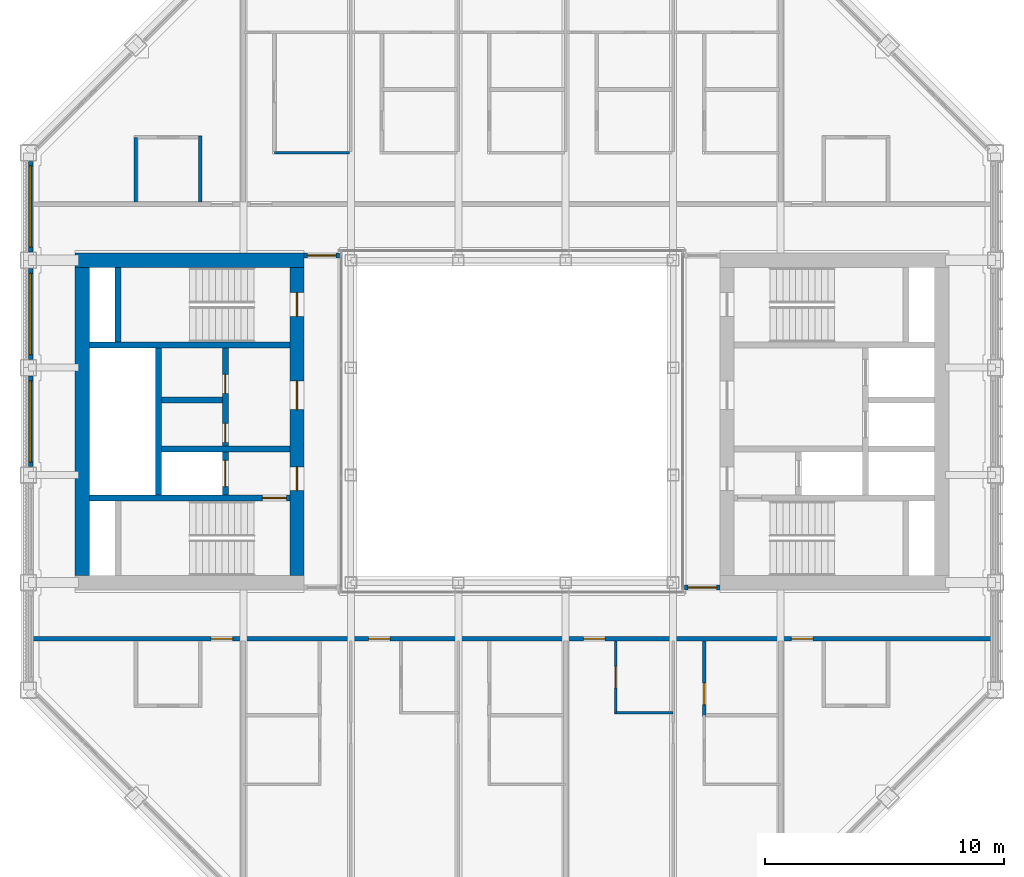
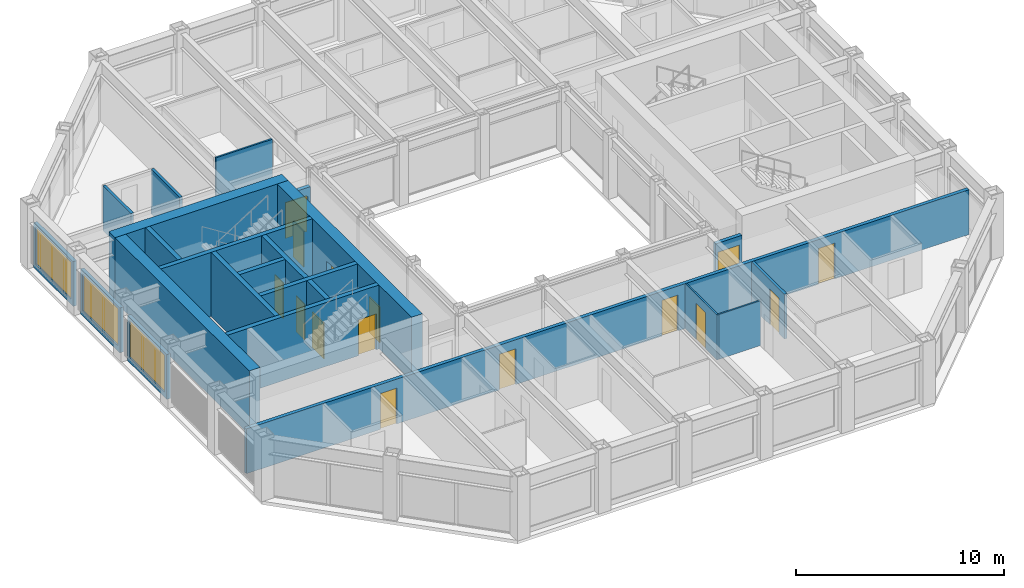
# One storey, part 10 of 18: 22 walls, 15 doors, 3 windows, 18 openings.
"""IFC4 building model written with IfcOpenShell, lengths in metres."""

from ifc_helpers import new_model, si_unit, direction, frame, frame_2d, origin, place, context, subcontext, project, spatial, rectangle, extrude, material, layer, layer_set, type_object, element, fill, save


model = new_model("IFC4")

# Units and contexts
model_context = context("Model", 3, precision=1e-05, world=origin(), true_north=direction((0.0, 1.0)))
body_context = subcontext(model_context, "Body", "Model", "MODEL_VIEW")
ifc_project = project(units=[si_unit("LENGTHUNIT", "METRE"), si_unit("AREAUNIT", "SQUARE_METRE"), si_unit("VOLUMEUNIT", "CUBIC_METRE"), si_unit("PLANEANGLEUNIT", "RADIAN"), si_unit("MASSUNIT", "GRAM", prefix="KILO")], contexts=[model_context])

# Site, building, storey
site_placement = place(None, origin())
site = spatial("IfcSite", under=ifc_project, at=site_placement, CompositionType="ELEMENT")
building_placement = place(site_placement, origin())
building = spatial("IfcBuilding", under=site, at=building_placement, Name="Msasa Ring Tower", CompositionType="ELEMENT")
storey_placement = place(building_placement, frame((0.0, 0.0, 249.550048828125)))
storey = spatial("IfcBuildingStorey", under=building, at=storey_placement, Name="L65", CompositionType="ELEMENT", Elevation=249.550048828125)

# Wall
ifc_material_1 = material(Name="Concrete C60/75", Category="concrete")
ifc_layer_1 = layer(ifc_material_1, 0.60009765625)
ifc_layer_set_1 = layer_set([ifc_layer_1], Name="CW3 CORE WALL 600")
wall_type_1 = type_object("IfcWallType", Name="CW3 CORE WALL 600", PredefinedType="SHEAR", material=ifc_layer_set_1)
wall_1_placement = place(storey_placement, frame((-8.699951171875, 6.75, 0.0), z_axis=(0.0, 0.0, 1.0), x_axis=(-1.0, 0.0, 0.0)))
element("IfcWall", 1, at=wall_1_placement, inside=storey, type_object=wall_type_1, Name="W core wall N L65", PredefinedType="SHEAR", context=body_context, shape_type="SweptSolid", body=[
    extrude(rectangle(XDim=9.60009765625, YDim=0.60009765625, at=frame_2d((4.800048828125, 0.0))), origin(), (0.0, 0.0, 1.0), 3.75),
])

# Wall, openings, doors
wall_2_placement = place(storey_placement, frame((-9.0, -6.449951171875, 0.0), z_axis=(0.0, 0.0, 1.0), x_axis=(0.0, 1.0, 0.0)))
wall_2 = element("IfcWall", 2, at=wall_2_placement, inside=storey, type_object=wall_type_1, Name="W core wall W L65", PredefinedType="SHEAR", context=body_context, shape_type="SweptSolid", body=[
    extrude(rectangle(XDim=12.89990234375, YDim=0.60009765625, at=frame_2d((6.449951171875, 0.0))), origin(), (0.0, 0.0, 1.0), 3.75),
])
opening_1_placement = place(wall_2_placement, frame((3.550048828125, 0.0, 0.0)))
opening_1 = element("IfcOpeningElement", 3, at=opening_1_placement, cuts=wall_2, Name="Opening SE-028", PredefinedType="OPENING", context=body_context, shape_type="SweptSolid", body=[
    extrude(rectangle(XDim=1.0, YDim=2.10009765625, at=frame_2d((0.5, 1.050048828125))), frame((0.0, 0.31005859375, 0.0), z_axis=(0.0, -1.0, 0.0), x_axis=(1.0, 0.0, 0.0)), (0.0, 0.0, 1.0), 0.6201171875),
])
opening_2_placement = place(wall_2_placement, frame((6.949951171875, 0.0, 0.0)))
opening_2 = element("IfcOpeningElement", 4, at=opening_2_placement, cuts=wall_2, Name="Opening SE-025", PredefinedType="OPENING", context=body_context, shape_type="SweptSolid", body=[
    extrude(rectangle(XDim=1.199951171875, YDim=2.10009765625, at=frame_2d((0.60009765625, 1.050048828125))), frame((0.0, 0.31005859375, 0.0), z_axis=(0.0, -1.0, 0.0), x_axis=(1.0, 0.0, 0.0)), (0.0, 0.0, 1.0), 0.6201171875),
])
opening_3_placement = place(wall_2_placement, frame((10.85009765625, 0.0, 0.0)))
opening_3 = element("IfcOpeningElement", 5, at=opening_3_placement, cuts=wall_2, Name="Opening SE-022", PredefinedType="OPENING", context=body_context, shape_type="SweptSolid", body=[
    extrude(rectangle(XDim=1.0, YDim=2.10009765625, at=frame_2d((0.5, 1.050048828125))), frame((0.0, 0.31005859375, 0.0), z_axis=(0.0, -1.0, 0.0), x_axis=(1.0, 0.0, 0.0)), (0.0, 0.0, 1.0), 0.6201171875),
])
ifc_material_2 = material(Name="Timber door leaf in a steel frame", Category="steel")
door_type_1 = type_object("IfcDoorType", Name="D4 LOBBY DOOR 1000x2100", OperationType="SINGLE_SWING_LEFT", PredefinedType="DOOR", material=ifc_material_2)
door_1_placement = place(opening_1_placement, origin())
door_1 = element("IfcDoor", 6, at=door_1_placement, inside=storey, type_object=door_type_1, Name="Door L65-WFFL", OperationType="SINGLE_SWING_LEFT", OverallHeight=2.10009765625, OverallWidth=1.0, PredefinedType="DOOR", context=body_context, shape_type="SweptSolid", body=[
    extrude(rectangle(XDim=1.0, YDim=2.10009765625, at=frame_2d((0.5, 1.050048828125))), frame((0.0, 0.02490234375, 0.0), z_axis=(0.0, -1.0, 0.0), x_axis=(1.0, 0.0, 0.0)), (0.0, 0.0, 1.0), 0.050048828125),
])
fill(opening_1, door_1)
ifc_material_3 = material(Name="Timber door leaf in a steel frame", Category="steel")
door_type_2 = type_object("IfcDoorType", Name="D5 WIDE LOBBY DOOR 1200x2100", OperationType="SINGLE_SWING_LEFT", PredefinedType="DOOR", material=ifc_material_3)
door_2_placement = place(opening_2_placement, origin())
door_2 = element("IfcDoor", 7, at=door_2_placement, inside=storey, type_object=door_type_2, Name="Door L65-WLL", OperationType="SINGLE_SWING_RIGHT", OverallHeight=2.10009765625, OverallWidth=1.199951171875, PredefinedType="DOOR", context=body_context, shape_type="SweptSolid", body=[
    extrude(rectangle(XDim=1.199951171875, YDim=2.10009765625, at=frame_2d((0.60009765625, 1.050048828125))), frame((0.0, 0.02490234375, 0.0), z_axis=(0.0, -1.0, 0.0), x_axis=(1.0, 0.0, 0.0)), (0.0, 0.0, 1.0), 0.050048828125),
])
fill(opening_2, door_2)
ifc_material_4 = material(Name="Timber door leaf in a steel frame", Category="steel")
door_type_3 = type_object("IfcDoorType", Name="D6 STAIR DOOR 1000x2100", OperationType="SINGLE_SWING_LEFT", PredefinedType="DOOR", material=ifc_material_4)
door_3_placement = place(opening_3_placement, origin())
door_3 = element("IfcDoor", 8, at=door_3_placement, inside=storey, type_object=door_type_3, Name="Door L65-WSTB", OperationType="SINGLE_SWING_RIGHT", OverallHeight=2.10009765625, OverallWidth=1.0, PredefinedType="DOOR", context=body_context, shape_type="SweptSolid", body=[
    extrude(rectangle(XDim=1.0, YDim=2.10009765625, at=frame_2d((0.5, 1.050048828125))), frame((0.0, 0.02490234375, 0.0), z_axis=(0.0, -1.0, 0.0), x_axis=(1.0, 0.0, 0.0)), (0.0, 0.0, 1.0), 0.050048828125),
])
fill(opening_3, door_3)

# Wall
wall_3_placement = place(storey_placement, frame((-18.0, -6.449951171875, 0.0), z_axis=(0.0, 0.0, 1.0), x_axis=(0.0, 1.0, 0.0)))
element("IfcWall", 9, at=wall_3_placement, inside=storey, type_object=wall_type_1, Name="W core wall E L65", PredefinedType="SHEAR", context=body_context, shape_type="SweptSolid", body=[
    extrude(rectangle(XDim=12.89990234375, YDim=0.60009765625, at=frame_2d((6.449951171875, 0.0))), origin(), (0.0, 0.0, 1.0), 3.75),
])

# Wall, opening, door
ifc_material_5 = material(Name="Concrete C60/75", Category="concrete")
ifc_layer_2 = layer(ifc_material_5, 0.25)
ifc_layer_set_2 = layer_set([ifc_layer_2], Name="CW4 CORE INNER WALL 250")
wall_type_2 = type_object("IfcWallType", Name="CW4 CORE INNER WALL 250", PredefinedType="SHEAR", material=ifc_layer_set_2)
wall_4_placement = place(storey_placement, frame((-9.300048828125, -3.199951171875, 0.0), z_axis=(0.0, 0.0, 1.0), x_axis=(-1.0, 0.0, 0.0)))
wall_4 = element("IfcWall", 10, at=wall_4_placement, inside=storey, type_object=wall_type_2, Name="W core wall STAIRA L65", PredefinedType="SHEAR", context=body_context, shape_type="SweptSolid", body=[
    extrude(rectangle(XDim=8.39990234375, YDim=0.25, at=frame_2d((4.199951171875, 0.0))), origin(), (0.0, 0.0, 1.0), 3.75),
])
opening_4_placement = place(wall_4_placement, frame((0.14990234375, 0.0, 0.0)))
opening_4 = element("IfcOpeningElement", 11, at=opening_4_placement, cuts=wall_4, Name="Opening SE-030", PredefinedType="OPENING", context=body_context, shape_type="SweptSolid", body=[
    extrude(rectangle(XDim=1.0, YDim=2.10009765625, at=frame_2d((0.5, 1.050048828125))), frame((0.0, 0.135009765625, 0.0), z_axis=(0.0, -1.0, 0.0), x_axis=(1.0, 0.0, 0.0)), (0.0, 0.0, 1.0), 0.27001953125),
])
door_4_placement = place(opening_4_placement, origin())
door_4 = element("IfcDoor", 12, at=door_4_placement, inside=storey, type_object=door_type_3, Name="Door L65-WSTA", OperationType="SINGLE_SWING_LEFT", OverallHeight=2.10009765625, OverallWidth=1.0, PredefinedType="DOOR", context=body_context, shape_type="SweptSolid", body=[
    extrude(rectangle(XDim=1.0, YDim=2.10009765625, at=frame_2d((0.5, 1.050048828125))), frame((0.0, 0.02490234375, 0.0), z_axis=(0.0, -1.0, 0.0), x_axis=(1.0, 0.0, 0.0)), (0.0, 0.0, 1.0), 0.050048828125),
])
fill(opening_4, door_4)

# Walls
wall_5_placement = place(storey_placement, frame((-9.300048828125, 3.199951171875, 0.0), z_axis=(0.0, 0.0, 1.0), x_axis=(-1.0, 0.0, 0.0)))
element("IfcWall", 13, at=wall_5_placement, inside=storey, type_object=wall_type_2, Name="W core wall STAIRB L65", PredefinedType="SHEAR", context=body_context, shape_type="SweptSolid", body=[
    extrude(rectangle(XDim=8.39990234375, YDim=0.25, at=frame_2d((4.199951171875, 0.0))), origin(), (0.0, 0.0, 1.0), 3.75),
])
wall_6_placement = place(storey_placement, frame((-16.5, 3.324951171875, 0.0), z_axis=(0.0, 0.0, 1.0), x_axis=(0.0, 1.0, 0.0)))
element("IfcWall", 14, at=wall_6_placement, inside=storey, type_object=wall_type_2, Name="W core wall RISERB L65", PredefinedType="SHEAR", context=body_context, shape_type="SweptSolid", body=[
    extrude(rectangle(XDim=3.125, YDim=0.25, at=frame_2d((1.5625, 0.0))), origin(), (0.0, 0.0, 1.0), 3.75),
])
wall_7_placement = place(storey_placement, frame((-9.300048828125, -1.14990234375, 0.0), z_axis=(0.0, 0.0, 1.0), x_axis=(-1.0, 0.0, 0.0)))
element("IfcWall", 15, at=wall_7_placement, inside=storey, type_object=wall_type_2, Name="W core wall FFL L65", PredefinedType="SHEAR", context=body_context, shape_type="SweptSolid", body=[
    extrude(rectangle(XDim=5.375, YDim=0.25, at=frame_2d((2.6875, 0.0))), origin(), (0.0, 0.0, 1.0), 3.75),
])

# Wall, openings, doors
wall_8_placement = place(storey_placement, frame((-12.0, -3.074951171875, 0.0), z_axis=(0.0, 0.0, 1.0), x_axis=(0.0, 1.0, 0.0)))
wall_8 = element("IfcWall", 16, at=wall_8_placement, inside=storey, type_object=wall_type_2, Name="W core wall LOBBY L65", PredefinedType="SHEAR", context=body_context, shape_type="SweptSolid", body=[
    extrude(rectangle(XDim=6.14990234375, YDim=0.25, at=frame_2d((3.074951171875, 0.0))), origin(), (0.0, 0.0, 1.0), 3.75),
])
opening_5_placement = place(wall_8_placement, frame((2.199951171875, 0.0, 0.0)))
opening_5 = element("IfcOpeningElement", 17, at=opening_5_placement, cuts=wall_8, Name="Opening SE-027", PredefinedType="OPENING", context=body_context, shape_type="SweptSolid", body=[
    extrude(rectangle(XDim=0.800048828125, YDim=2.10009765625, at=frame_2d((0.39990234375, 1.050048828125))), frame((0.0, 0.135009765625, 0.0), z_axis=(0.0, -1.0, 0.0), x_axis=(1.0, 0.0, 0.0)), (0.0, 0.0, 1.0), 0.27001953125),
])
opening_6_placement = place(wall_8_placement, frame((4.25, 0.0, 0.0)))
opening_6 = element("IfcOpeningElement", 18, at=opening_6_placement, cuts=wall_8, Name="Opening SE-024", PredefinedType="OPENING", context=body_context, shape_type="SweptSolid", body=[
    extrude(rectangle(XDim=0.800048828125, YDim=2.10009765625, at=frame_2d((0.39990234375, 1.050048828125))), frame((0.0, 0.135009765625, 0.0), z_axis=(0.0, -1.0, 0.0), x_axis=(1.0, 0.0, 0.0)), (0.0, 0.0, 1.0), 0.27001953125),
])
opening_7_placement = place(wall_8_placement, frame((0.35009765625, 0.0, 0.0)))
opening_7 = element("IfcOpeningElement", 19, at=opening_7_placement, cuts=wall_8, Name="Opening LD1", PredefinedType="OPENING", context=body_context, shape_type="SweptSolid", body=[
    extrude(rectangle(XDim=1.10009765625, YDim=2.10009765625, at=frame_2d((0.550048828125, 1.050048828125))), frame((0.0, 0.135009765625, 0.0), z_axis=(0.0, -1.0, 0.0), x_axis=(1.0, 0.0, 0.0)), (0.0, 0.0, 1.0), 0.27001953125),
])
ifc_material_6 = material(Name="Timber door leaf in a steel frame", Category="steel")
door_type_4 = type_object("IfcDoorType", Name="D9 NARROW SERVICE DOOR 800x2100", OperationType="SINGLE_SWING_LEFT", PredefinedType="DOOR", material=ifc_material_6)
door_5_placement = place(opening_5_placement, origin())
door_5 = element("IfcDoor", 20, at=door_5_placement, inside=storey, type_object=door_type_4, Name="Door L65-WR1", OperationType="SINGLE_SWING_LEFT", OverallHeight=2.10009765625, OverallWidth=0.800048828125, PredefinedType="DOOR", context=body_context, shape_type="SweptSolid", body=[
    extrude(rectangle(XDim=0.800048828125, YDim=2.10009765625, at=frame_2d((0.39990234375, 1.050048828125))), frame((0.0, 0.02490234375, 0.0), z_axis=(0.0, -1.0, 0.0), x_axis=(1.0, 0.0, 0.0)), (0.0, 0.0, 1.0), 0.050048828125),
])
fill(opening_5, door_5)
door_6_placement = place(opening_6_placement, origin())
door_6 = element("IfcDoor", 21, at=door_6_placement, inside=storey, type_object=door_type_4, Name="Door L65-WR2", OperationType="SINGLE_SWING_RIGHT", OverallHeight=2.10009765625, OverallWidth=0.800048828125, PredefinedType="DOOR", context=body_context, shape_type="SweptSolid", body=[
    extrude(rectangle(XDim=0.800048828125, YDim=2.10009765625, at=frame_2d((0.39990234375, 1.050048828125))), frame((0.0, 0.02490234375, 0.0), z_axis=(0.0, -1.0, 0.0), x_axis=(1.0, 0.0, 0.0)), (0.0, 0.0, 1.0), 0.050048828125),
])
fill(opening_6, door_6)
ifc_material_7 = material(Name="Stainless steel lift landing door", Category="steel")
door_type_5 = type_object("IfcDoorType", Name="LD1 LIFT LANDING DOOR 1100x2100", OperationType="DOUBLE_DOOR_SLIDING", PredefinedType="DOOR", material=ifc_material_7)
door_7_placement = place(opening_7_placement, origin())
door_7 = element("IfcDoor", 22, at=door_7_placement, inside=storey, type_object=door_type_5, Name="Lift landing door FL-W L65", OperationType="DOUBLE_DOOR_SLIDING", OverallHeight=2.10009765625, OverallWidth=1.10009765625, PredefinedType="DOOR", context=body_context, shape_type="SweptSolid", body=[
    extrude(rectangle(XDim=1.10009765625, YDim=2.10009765625, at=frame_2d((0.550048828125, 1.050048828125))), frame((0.0, 0.02490234375, 0.0), z_axis=(0.0, -1.0, 0.0), x_axis=(1.0, 0.0, 0.0)), (0.0, 0.0, 1.0), 0.050048828125),
])
fill(opening_7, door_7)

# Walls
wall_9_placement = place(storey_placement, frame((-14.800048828125, -3.074951171875, 0.0), z_axis=(0.0, 0.0, 1.0), x_axis=(0.0, 1.0, 0.0)))
element("IfcWall", 23, at=wall_9_placement, inside=storey, type_object=wall_type_2, Name="W core wall SHAFT L65", PredefinedType="SHEAR", context=body_context, shape_type="SweptSolid", body=[
    extrude(rectangle(XDim=6.14990234375, YDim=0.25, at=frame_2d((3.074951171875, 0.0))), origin(), (0.0, 0.0, 1.0), 3.75),
])
wall_10_placement = place(storey_placement, frame((-12.125, 0.89990234375, 0.0), z_axis=(0.0, 0.0, 1.0), x_axis=(-1.0, 0.0, 0.0)))
element("IfcWall", 24, at=wall_10_placement, inside=storey, type_object=wall_type_2, Name="W core wall LIFT1 L65", PredefinedType="SHEAR", context=body_context, shape_type="SweptSolid", body=[
    extrude(rectangle(XDim=2.550048828125, YDim=0.25, at=frame_2d((1.27490234375, 0.0))), origin(), (0.0, 0.0, 1.0), 3.75),
])

# Wall, opening, window
ifc_material_8 = material(Name="Terracotta rainscreen on blockwork", Category="masonry")
ifc_layer_3 = layer(ifc_material_8, 0.199951171875)
ifc_layer_set_3 = layer_set([ifc_layer_3], Name="FW1 TERRACOTTA-LINED INFILL BAY WALL 200")
wall_type_3 = type_object("IfcWallType", Name="FW1 TERRACOTTA-LINED INFILL BAY WALL 200", PredefinedType="SOLIDWALL", material=ifc_layer_set_3)
wall_11_placement = place(storey_placement, frame((-20.14990234375, -1.89501953125, 0.0), z_axis=(0.0, 0.0, 1.0), x_axis=(0.0, 1.0, 0.0)))
wall_11 = element("IfcWall", 25, at=wall_11_placement, inside=storey, type_object=wall_type_3, Name="Infill bay wall W L65 23", PredefinedType="SOLIDWALL", context=body_context, shape_type="SweptSolid", body=[
    extrude(rectangle(XDim=3.7900390625, YDim=0.199951171875, at=frame_2d((1.89501953125, 0.0))), origin(), (0.0, 0.0, 1.0), 2.62890625),
])
opening_8_placement = place(wall_11_placement, frame((0.195068359375, 0.0, 0.300048828125)))
opening_8 = element("IfcOpeningElement", 26, at=opening_8_placement, cuts=wall_11, Name="Opening WN3", PredefinedType="OPENING", context=body_context, shape_type="SweptSolid", body=[
    extrude(rectangle(XDim=3.39990234375, YDim=2.178955078125, at=frame_2d((1.699951171875, 1.08935546875))), frame((0.0, 0.10986328125, 0.0), z_axis=(0.0, -1.0, 0.0), x_axis=(1.0, 0.0, 0.0)), (0.0, 0.0, 1.0), 0.219970703125),
])
ifc_material_9 = material(Name="Aluminium frame with clear glass", Category="aluminium")
window_type = type_object("IfcWindowType", Name="WN3 SUITE WINDOW 3400x2179", PartitioningType="SINGLE_PANEL", PredefinedType="WINDOW", material=ifc_material_9)
window_1_placement = place(opening_8_placement, origin())
window_1 = element("IfcWindow", 27, at=window_1_placement, inside=storey, type_object=window_type, Name="Window W L65 23", OverallHeight=2.178955078125, OverallWidth=3.39990234375, PartitioningType="SINGLE_PANEL", PredefinedType="WINDOW", context=body_context, shape_type="SweptSolid", body=[
    extrude(rectangle(XDim=3.39990234375, YDim=2.178955078125, at=frame_2d((1.699951171875, 1.08935546875))), frame((0.0, 0.030029296875, 0.0), z_axis=(0.0, -1.0, 0.0), x_axis=(1.0, 0.0, 0.0)), (0.0, 0.0, 1.0), 0.06005859375),
])
fill(opening_8, window_1)

wall_12_placement = place(storey_placement, frame((-20.14990234375, 2.60498046875, 0.0), z_axis=(0.0, 0.0, 1.0), x_axis=(0.0, 1.0, 0.0)))
wall_12 = element("IfcWall", 28, at=wall_12_placement, inside=storey, type_object=wall_type_3, Name="Infill bay wall W L65 24", PredefinedType="SOLIDWALL", context=body_context, shape_type="SweptSolid", body=[
    extrude(rectangle(XDim=3.7900390625, YDim=0.199951171875, at=frame_2d((1.89501953125, 0.0))), origin(), (0.0, 0.0, 1.0), 2.62890625),
])
opening_9_placement = place(wall_12_placement, frame((0.195068359375, 0.0, 0.300048828125)))
opening_9 = element("IfcOpeningElement", 29, at=opening_9_placement, cuts=wall_12, Name="Opening WN3", PredefinedType="OPENING", context=body_context, shape_type="SweptSolid", body=[
    extrude(rectangle(XDim=3.39990234375, YDim=2.178955078125, at=frame_2d((1.699951171875, 1.08935546875))), frame((0.0, 0.10986328125, 0.0), z_axis=(0.0, -1.0, 0.0), x_axis=(1.0, 0.0, 0.0)), (0.0, 0.0, 1.0), 0.219970703125),
])
window_2_placement = place(opening_9_placement, origin())
window_2 = element("IfcWindow", 30, at=window_2_placement, inside=storey, type_object=window_type, Name="Window W L65 24", OverallHeight=2.178955078125, OverallWidth=3.39990234375, PartitioningType="SINGLE_PANEL", PredefinedType="WINDOW", context=body_context, shape_type="SweptSolid", body=[
    extrude(rectangle(XDim=3.39990234375, YDim=2.178955078125, at=frame_2d((1.699951171875, 1.08935546875))), frame((0.0, 0.030029296875, 0.0), z_axis=(0.0, -1.0, 0.0), x_axis=(1.0, 0.0, 0.0)), (0.0, 0.0, 1.0), 0.06005859375),
])
fill(opening_9, window_2)

wall_13_placement = place(storey_placement, frame((-20.14990234375, 7.10498046875, 0.0), z_axis=(0.0, 0.0, 1.0), x_axis=(0.0, 1.0, 0.0)))
wall_13 = element("IfcWall", 31, at=wall_13_placement, inside=storey, type_object=wall_type_3, Name="Infill bay wall W L65 25", PredefinedType="SOLIDWALL", context=body_context, shape_type="SweptSolid", body=[
    extrude(rectangle(XDim=3.7900390625, YDim=0.199951171875, at=frame_2d((1.89501953125, 0.0))), origin(), (0.0, 0.0, 1.0), 2.62890625),
])
opening_10_placement = place(wall_13_placement, frame((0.195068359375, 0.0, 0.300048828125)))
opening_10 = element("IfcOpeningElement", 32, at=opening_10_placement, cuts=wall_13, Name="Opening WN3", PredefinedType="OPENING", context=body_context, shape_type="SweptSolid", body=[
    extrude(rectangle(XDim=3.39990234375, YDim=2.178955078125, at=frame_2d((1.699951171875, 1.08935546875))), frame((0.0, 0.10986328125, 0.0), z_axis=(0.0, -1.0, 0.0), x_axis=(1.0, 0.0, 0.0)), (0.0, 0.0, 1.0), 0.219970703125),
])
window_3_placement = place(opening_10_placement, origin())
window_3 = element("IfcWindow", 33, at=window_3_placement, inside=storey, type_object=window_type, Name="Window W L65 25", OverallHeight=2.178955078125, OverallWidth=3.39990234375, PartitioningType="SINGLE_PANEL", PredefinedType="WINDOW", context=body_context, shape_type="SweptSolid", body=[
    extrude(rectangle(XDim=3.39990234375, YDim=2.178955078125, at=frame_2d((1.699951171875, 1.08935546875))), frame((0.0, 0.030029296875, 0.0), z_axis=(0.0, -1.0, 0.0), x_axis=(1.0, 0.0, 0.0)), (0.0, 0.0, 1.0), 0.06005859375),
])
fill(opening_10, window_3)

# Wall, opening, door
ifc_material_10 = material(Name="Concrete blockwork", Category="masonry")
ifc_layer_4 = layer(ifc_material_10, 0.199951171875)
ifc_layer_set_4 = layer_set([ifc_layer_4], Name="PT1 CORRIDOR WALL 200")
wall_type_4 = type_object("IfcWallType", Name="PT1 CORRIDOR WALL 200", PredefinedType="PARTITIONING", material=ifc_layer_set_4)
wall_14_placement = place(storey_placement, frame((7.22998046875, -6.949951171875, 0.0), z_axis=(0.0, 0.0, 1.0), x_axis=(1.0, 0.0, 0.0)))
wall_14 = element("IfcWall", 34, at=wall_14_placement, inside=storey, type_object=wall_type_4, Name="Corridor wall L65-SDES", PredefinedType="PARTITIONING", context=body_context, shape_type="SweptSolid", body=[
    extrude(rectangle(XDim=1.469970703125, YDim=0.199951171875, at=frame_2d((0.73486328125, 0.0))), origin(), (0.0, 0.0, 1.0), 2.62890625),
])
opening_11_placement = place(wall_14_placement, frame((0.135009765625, 0.0, 0.0)))
opening_11 = element("IfcOpeningElement", 35, at=opening_11_placement, cuts=wall_14, Name="Opening SE-033", PredefinedType="OPENING", context=body_context, shape_type="SweptSolid", body=[
    extrude(rectangle(XDim=1.199951171875, YDim=2.10009765625, at=frame_2d((0.60009765625, 1.050048828125))), frame((0.0, 0.10986328125, 0.0), z_axis=(0.0, -1.0, 0.0), x_axis=(1.0, 0.0, 0.0)), (0.0, 0.0, 1.0), 0.219970703125),
])
ifc_material_11 = material(Name="Timber door leaf in a steel frame", Category="steel")
door_type_6 = type_object("IfcDoorType", Name="D25 CORRIDOR PAIR OF SMOKE DOORS 1200x2100", OperationType="DOUBLE_DOOR_DOUBLE_SWING", PredefinedType="DOOR", material=ifc_material_11)
door_8_placement = place(opening_11_placement, origin())
door_8 = element("IfcDoor", 36, at=door_8_placement, inside=storey, type_object=door_type_6, Name="Door L65-SDES", OperationType="DOUBLE_DOOR_DOUBLE_SWING", OverallHeight=2.10009765625, OverallWidth=1.199951171875, PredefinedType="DOOR", context=body_context, shape_type="SweptSolid", body=[
    extrude(rectangle(XDim=1.199951171875, YDim=2.10009765625, at=frame_2d((0.60009765625, 1.050048828125))), frame((0.0, 0.02490234375, 0.0), z_axis=(0.0, -1.0, 0.0), x_axis=(1.0, 0.0, 0.0)), (0.0, 0.0, 1.0), 0.050048828125),
])
fill(opening_11, door_8)

wall_15_placement = place(storey_placement, frame((-8.699951171875, 6.949951171875, 0.0), z_axis=(0.0, 0.0, 1.0), x_axis=(1.0, 0.0, 0.0)))
wall_15 = element("IfcWall", 37, at=wall_15_placement, inside=storey, type_object=wall_type_4, Name="Corridor wall L65-SDWN", PredefinedType="PARTITIONING", context=body_context, shape_type="SweptSolid", body=[
    extrude(rectangle(XDim=1.469970703125, YDim=0.199951171875, at=frame_2d((0.73486328125, 0.0))), origin(), (0.0, 0.0, 1.0), 2.62890625),
])
opening_12_placement = place(wall_15_placement, frame((0.135009765625, 0.0, 0.0)))
opening_12 = element("IfcOpeningElement", 38, at=opening_12_placement, cuts=wall_15, Name="Opening SE-020", PredefinedType="OPENING", context=body_context, shape_type="SweptSolid", body=[
    extrude(rectangle(XDim=1.199951171875, YDim=2.10009765625, at=frame_2d((0.60009765625, 1.050048828125))), frame((0.0, 0.10986328125, 0.0), z_axis=(0.0, -1.0, 0.0), x_axis=(1.0, 0.0, 0.0)), (0.0, 0.0, 1.0), 0.219970703125),
])
door_9_placement = place(opening_12_placement, origin())
door_9 = element("IfcDoor", 39, at=door_9_placement, inside=storey, type_object=door_type_6, Name="Door L65-SDWN", OperationType="DOUBLE_DOOR_DOUBLE_SWING", OverallHeight=2.10009765625, OverallWidth=1.199951171875, PredefinedType="DOOR", context=body_context, shape_type="SweptSolid", body=[
    extrude(rectangle(XDim=1.199951171875, YDim=2.10009765625, at=frame_2d((0.60009765625, 1.050048828125))), frame((0.0, 0.02490234375, 0.0), z_axis=(0.0, -1.0, 0.0), x_axis=(1.0, 0.0, 0.0)), (0.0, 0.0, 1.0), 0.050048828125),
])
fill(opening_12, door_9)

# Wall, openings, doors
wall_16_placement = place(storey_placement, frame((-20.050048828125, -9.10009765625, 0.0), z_axis=(0.0, 0.0, 1.0), x_axis=(1.0, 0.0, 0.0)))
wall_16 = element("IfcWall", 40, at=wall_16_placement, inside=storey, type_object=wall_type_4, Name="Corridor wall L65-CORRS0", PredefinedType="PARTITIONING", context=body_context, shape_type="SweptSolid", body=[
    extrude(rectangle(XDim=40.10009765625, YDim=0.199951171875, at=frame_2d((20.050048828125, 0.0))), origin(), (0.0, 0.0, 1.0), 2.62890625),
])
opening_13_placement = place(wall_16_placement, frame((14.050048828125, 0.0, 0.0)))
opening_13 = element("IfcOpeningElement", 41, at=opening_13_placement, cuts=wall_16, Name="Opening SE-035", PredefinedType="OPENING", context=body_context, shape_type="SweptSolid", body=[
    extrude(rectangle(XDim=0.89990234375, YDim=2.10009765625, at=frame_2d((0.449951171875, 1.050048828125))), frame((0.0, 0.10986328125, 0.0), z_axis=(0.0, -1.0, 0.0), x_axis=(1.0, 0.0, 0.0)), (0.0, 0.0, 1.0), 0.219970703125),
])
opening_14_placement = place(wall_16_placement, frame((23.050048828125, 0.0, 0.0)))
opening_14 = element("IfcOpeningElement", 42, at=opening_14_placement, cuts=wall_16, Name="Opening SE-036", PredefinedType="OPENING", context=body_context, shape_type="SweptSolid", body=[
    extrude(rectangle(XDim=0.89990234375, YDim=2.10009765625, at=frame_2d((0.449951171875, 1.050048828125))), frame((0.0, 0.10986328125, 0.0), z_axis=(0.0, -1.0, 0.0), x_axis=(1.0, 0.0, 0.0)), (0.0, 0.0, 1.0), 0.219970703125),
])
opening_15_placement = place(wall_16_placement, frame((31.75, 0.0, 0.0)))
opening_15 = element("IfcOpeningElement", 43, at=opening_15_placement, cuts=wall_16, Name="Opening SE-037", PredefinedType="OPENING", context=body_context, shape_type="SweptSolid", body=[
    extrude(rectangle(XDim=0.89990234375, YDim=2.10009765625, at=frame_2d((0.449951171875, 1.050048828125))), frame((0.0, 0.10986328125, 0.0), z_axis=(0.0, -1.0, 0.0), x_axis=(1.0, 0.0, 0.0)), (0.0, 0.0, 1.0), 0.219970703125),
])
opening_16_placement = place(wall_16_placement, frame((7.449951171875, 0.0, 0.0)))
opening_16 = element("IfcOpeningElement", 44, at=opening_16_placement, cuts=wall_16, Name="Opening SE-034", PredefinedType="OPENING", context=body_context, shape_type="SweptSolid", body=[
    extrude(rectangle(XDim=0.89990234375, YDim=2.10009765625, at=frame_2d((0.449951171875, 1.050048828125))), frame((0.0, 0.10986328125, 0.0), z_axis=(0.0, -1.0, 0.0), x_axis=(1.0, 0.0, 0.0)), (0.0, 0.0, 1.0), 0.219970703125),
])
ifc_material_12 = material(Name="Timber door leaf in a steel frame", Category="steel")
door_type_7 = type_object("IfcDoorType", Name="D2 ENTRANCE DOOR 900x2100", OperationType="SINGLE_SWING_LEFT", PredefinedType="DOOR", material=ifc_material_12)
door_10_placement = place(opening_13_placement, origin())
door_10 = element("IfcDoor", 45, at=door_10_placement, inside=storey, type_object=door_type_7, Name="Door L65-JS00", OperationType="SINGLE_SWING_LEFT", OverallHeight=2.10009765625, OverallWidth=0.89990234375, PredefinedType="DOOR", context=body_context, shape_type="SweptSolid", body=[
    extrude(rectangle(XDim=0.89990234375, YDim=2.10009765625, at=frame_2d((0.449951171875, 1.050048828125))), frame((0.0, 0.02490234375, 0.0), z_axis=(0.0, -1.0, 0.0), x_axis=(1.0, 0.0, 0.0)), (0.0, 0.0, 1.0), 0.050048828125),
])
fill(opening_13, door_10)
door_11_placement = place(opening_14_placement, origin())
door_11 = element("IfcDoor", 46, at=door_11_placement, inside=storey, type_object=door_type_7, Name="Door L65-JS01", OperationType="SINGLE_SWING_RIGHT", OverallHeight=2.10009765625, OverallWidth=0.89990234375, PredefinedType="DOOR", context=body_context, shape_type="SweptSolid", body=[
    extrude(rectangle(XDim=0.89990234375, YDim=2.10009765625, at=frame_2d((0.449951171875, 1.050048828125))), frame((0.0, 0.02490234375, 0.0), z_axis=(0.0, -1.0, 0.0), x_axis=(1.0, 0.0, 0.0)), (0.0, 0.0, 1.0), 0.050048828125),
])
fill(opening_14, door_11)
door_12_placement = place(opening_15_placement, origin())
door_12 = element("IfcDoor", 47, at=door_12_placement, inside=storey, type_object=door_type_7, Name="Door L65-CSSE", OperationType="SINGLE_SWING_RIGHT", OverallHeight=2.10009765625, OverallWidth=0.89990234375, PredefinedType="DOOR", context=body_context, shape_type="SweptSolid", body=[
    extrude(rectangle(XDim=0.89990234375, YDim=2.10009765625, at=frame_2d((0.449951171875, 1.050048828125))), frame((0.0, 0.02490234375, 0.0), z_axis=(0.0, -1.0, 0.0), x_axis=(1.0, 0.0, 0.0)), (0.0, 0.0, 1.0), 0.050048828125),
])
fill(opening_15, door_12)
door_13_placement = place(opening_16_placement, origin())
door_13 = element("IfcDoor", 48, at=door_13_placement, inside=storey, type_object=door_type_7, Name="Door L65-CSSW", OperationType="SINGLE_SWING_LEFT", OverallHeight=2.10009765625, OverallWidth=0.89990234375, PredefinedType="DOOR", context=body_context, shape_type="SweptSolid", body=[
    extrude(rectangle(XDim=0.89990234375, YDim=2.10009765625, at=frame_2d((0.449951171875, 1.050048828125))), frame((0.0, 0.02490234375, 0.0), z_axis=(0.0, -1.0, 0.0), x_axis=(1.0, 0.0, 0.0)), (0.0, 0.0, 1.0), 0.050048828125),
])
fill(opening_16, door_13)

# Wall
ifc_material_13 = material(Name="Gypsum board on steel studs", Category="steel")
ifc_layer_5 = layer(ifc_material_13, 0.10009765625)
ifc_layer_set_5 = layer_set([ifc_layer_5], Name="PT2 STUD PARTITION 100")
wall_type_5 = type_object("IfcWallType", Name="PT2 STUD PARTITION 100", PredefinedType="PARTITIONING", material=ifc_layer_set_5)
wall_17_placement = place(storey_placement, frame((-9.949951171875, 11.25, 0.0), z_axis=(0.0, 0.0, 1.0), x_axis=(1.0, 0.0, 0.0)))
element("IfcWall", 49, at=wall_17_placement, inside=storey, type_object=wall_type_5, Name="Partition L65-JN00HY0", PredefinedType="PARTITIONING", context=body_context, shape_type="SweptSolid", body=[
    extrude(rectangle(XDim=3.139892578125, YDim=0.10009765625, at=frame_2d((1.56982421875, 0.0))), origin(), (0.0, 0.0, 1.0), 2.62890625),
])

# Wall, opening, door
wall_18_placement = place(storey_placement, frame((4.35009765625, -12.25, 0.0), z_axis=(0.0, 0.0, 1.0), x_axis=(0.0, 1.0, 0.0)))
wall_18 = element("IfcWall", 50, at=wall_18_placement, inside=storey, type_object=wall_type_5, Name="Partition L65-JS01PNX", PredefinedType="PARTITIONING", context=body_context, shape_type="SweptSolid", body=[
    extrude(rectangle(XDim=3.050048828125, YDim=0.10009765625, at=frame_2d((1.52490234375, 0.0))), origin(), (0.0, 0.0, 1.0), 2.62890625),
])
opening_17_placement = place(wall_18_placement, frame((1.10009765625, 0.0, 0.0)))
opening_17 = element("IfcOpeningElement", 51, at=opening_17_placement, cuts=wall_18, Name="Opening SE-039", PredefinedType="OPENING", context=body_context, shape_type="SweptSolid", body=[
    extrude(rectangle(XDim=0.89990234375, YDim=2.10009765625, at=frame_2d((0.449951171875, 1.050048828125))), frame((0.0, 0.06005859375, 0.0), z_axis=(0.0, -1.0, 0.0), x_axis=(1.0, 0.0, 0.0)), (0.0, 0.0, 1.0), 0.1201171875),
])
ifc_material_14 = material(Name="Timber door leaf in a steel frame", Category="steel")
door_type_8 = type_object("IfcDoorType", Name="D22 INTERNAL HALL DOOR 900x2100", OperationType="SINGLE_SWING_LEFT", PredefinedType="DOOR", material=ifc_material_14)
door_14_placement = place(opening_17_placement, origin())
door_14 = element("IfcDoor", 52, at=door_14_placement, inside=storey, type_object=door_type_8, Name="Door L65-JS01PN", OperationType="SINGLE_SWING_LEFT", OverallHeight=2.10009765625, OverallWidth=0.89990234375, PredefinedType="DOOR", context=body_context, shape_type="SweptSolid", body=[
    extrude(rectangle(XDim=0.89990234375, YDim=2.10009765625, at=frame_2d((0.449951171875, 1.050048828125))), frame((0.0, 0.02490234375, 0.0), z_axis=(0.0, -1.0, 0.0), x_axis=(1.0, 0.0, 0.0)), (0.0, 0.0, 1.0), 0.050048828125),
])
fill(opening_17, door_14)

# Walls
wall_19_placement = place(storey_placement, frame((4.35009765625, -12.199951171875, 0.0), z_axis=(0.0, 0.0, 1.0), x_axis=(1.0, 0.0, 0.0)))
element("IfcWall", 53, at=wall_19_placement, inside=storey, type_object=wall_type_5, Name="Partition L65-JS01PNY", PredefinedType="PARTITIONING", context=body_context, shape_type="SweptSolid", body=[
    extrude(rectangle(XDim=2.39990234375, YDim=0.10009765625, at=frame_2d((1.199951171875, 0.0))), origin(), (0.0, 0.0, 1.0), 2.62890625),
])
ifc_material_15 = material(Name="Moisture-resistant board on steel studs with a concealed cistern and pipe void, tiled", Category="steel")
ifc_layer_6 = layer(ifc_material_15, 0.14990234375)
ifc_layer_set_6 = layer_set([ifc_layer_6], Name="PT4 BATHROOM WET WALL 150")
wall_type_6 = type_object("IfcWallType", Name="PT4 BATHROOM WET WALL 150", PredefinedType="PARTITIONING", material=ifc_layer_set_6)
wall_20_placement = place(storey_placement, frame((-13.050048828125, 9.199951171875, 0.0), z_axis=(0.0, 0.0, 1.0), x_axis=(0.0, 1.0, 0.0)))
element("IfcWall", 54, at=wall_20_placement, inside=storey, type_object=wall_type_6, Name="Partition L65-CSNWBX", PredefinedType="PARTITIONING", context=body_context, shape_type="SweptSolid", body=[
    extrude(rectangle(XDim=2.75, YDim=0.14990234375, at=frame_2d((1.375, 0.0))), origin(), (0.0, 0.0, 1.0), 2.62890625),
])
wall_21_placement = place(storey_placement, frame((-15.75, 9.199951171875, 0.0), z_axis=(0.0, 0.0, 1.0), x_axis=(0.0, 1.0, 0.0)))
element("IfcWall", 55, at=wall_21_placement, inside=storey, type_object=wall_type_6, Name="Partition L65-CSNWBE", PredefinedType="PARTITIONING", context=body_context, shape_type="SweptSolid", body=[
    extrude(rectangle(XDim=2.699951171875, YDim=0.14990234375, at=frame_2d((1.35009765625, 0.0))), origin(), (0.0, 0.0, 1.0), 2.62890625),
])

# Wall, opening, door
wall_22_placement = place(storey_placement, frame((8.050048828125, -12.35009765625, 0.0), z_axis=(0.0, 0.0, 1.0), x_axis=(0.0, 1.0, 0.0)))
wall_22 = element("IfcWall", 56, at=wall_22_placement, inside=storey, type_object=wall_type_6, Name="Partition L65-JS01BX1", PredefinedType="PARTITIONING", context=body_context, shape_type="SweptSolid", body=[
    extrude(rectangle(XDim=3.150146484375, YDim=0.14990234375, at=frame_2d((1.5751953125, 0.0))), origin(), (0.0, 0.0, 1.0), 2.62890625),
])
opening_18_placement = place(wall_22_placement, frame((0.5, 0.0, 0.0)))
opening_18 = element("IfcOpeningElement", 57, at=opening_18_placement, cuts=wall_22, Name="Opening SE-042", PredefinedType="OPENING", context=body_context, shape_type="SweptSolid", body=[
    extrude(rectangle(XDim=0.89990234375, YDim=2.10009765625, at=frame_2d((0.449951171875, 1.050048828125))), frame((0.0, 0.0849609375, 0.0), z_axis=(0.0, -1.0, 0.0), x_axis=(1.0, 0.0, 0.0)), (0.0, 0.0, 1.0), 0.169921875),
])
ifc_material_16 = material(Name="Timber door leaf in a steel frame", Category="steel")
door_type_9 = type_object("IfcDoorType", Name="D3 BATHROOM DOOR 900x2100", OperationType="SINGLE_SWING_LEFT", PredefinedType="DOOR", material=ifc_material_16)
door_15_placement = place(opening_18_placement, origin())
door_15 = element("IfcDoor", 58, at=door_15_placement, inside=storey, type_object=door_type_9, Name="Door L65-JS01B1", OperationType="SINGLE_SWING_LEFT", OverallHeight=2.10009765625, OverallWidth=0.89990234375, PredefinedType="DOOR", context=body_context, shape_type="SweptSolid", body=[
    extrude(rectangle(XDim=0.89990234375, YDim=2.10009765625, at=frame_2d((0.449951171875, 1.050048828125))), frame((0.0, 0.02490234375, 0.0), z_axis=(0.0, -1.0, 0.0), x_axis=(1.0, 0.0, 0.0)), (0.0, 0.0, 1.0), 0.050048828125),
])
fill(opening_18, door_15)

save(model, "model.ifc")
